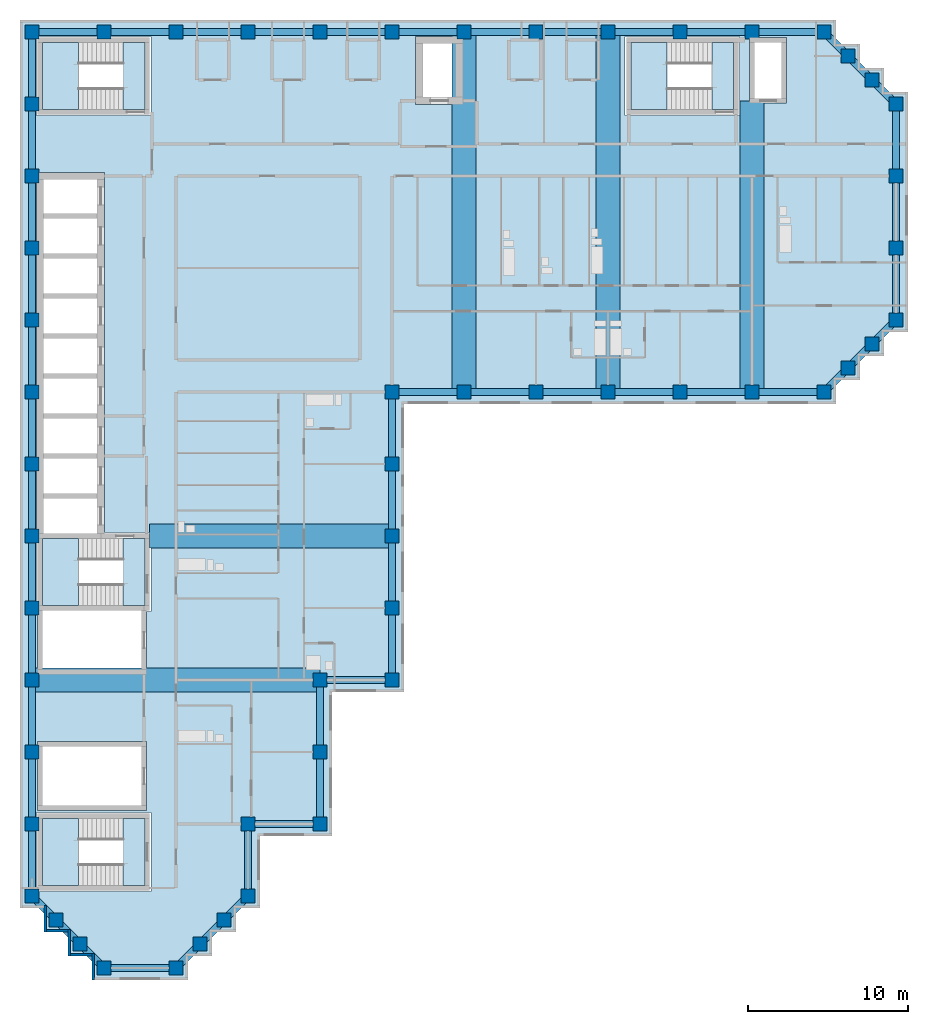
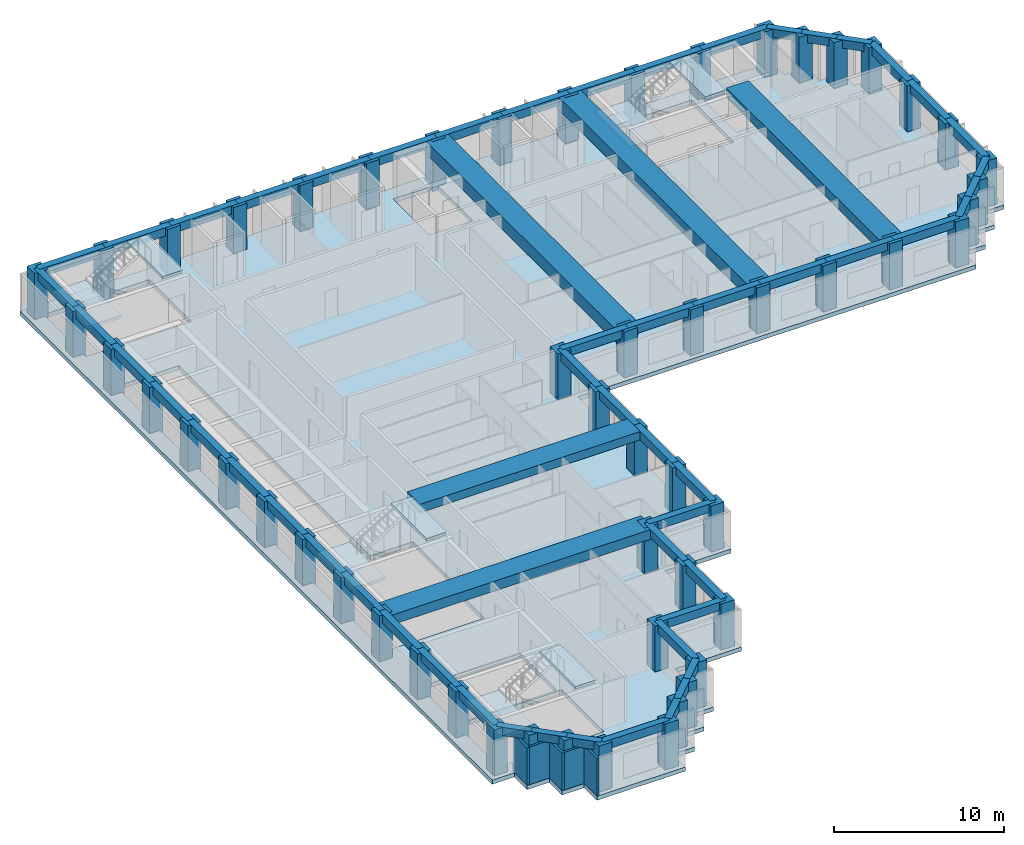
# One storey, part 1 of 10: 59 beams, 54 columns, 9 slabs, 5 walls, 4 elements without a shape of their own.
"""IFC4 building model written with IfcOpenShell, lengths in metres."""

from ifc_helpers import new_model, si_unit, direction, frame, frame_2d, origin, origin_2d, place, context, subcontext, project, spatial, polyline, rectangle, outline, extrude, material, layer, layer_set, material_profile, profile_set, type_object, element, aggregate, save


model = new_model("IFC4")

# Units and contexts
model_context = context("Model", 3, precision=1e-05, world=origin(), true_north=direction((0.0, 1.0)))
body_context = subcontext(model_context, "Body", "Model", "MODEL_VIEW")
ifc_project = project(units=[si_unit("LENGTHUNIT", "METRE"), si_unit("AREAUNIT", "SQUARE_METRE"), si_unit("VOLUMEUNIT", "CUBIC_METRE"), si_unit("PLANEANGLEUNIT", "RADIAN"), si_unit("MASSUNIT", "GRAM", prefix="KILO")], contexts=[model_context])

# Site, building, storey
site_placement = place(None, origin())
site = spatial("IfcSite", under=ifc_project, at=site_placement, CompositionType="ELEMENT")
building_placement = place(site_placement, origin())
building = spatial("IfcBuilding", under=site, at=building_placement, Name="Firuza Court", CompositionType="ELEMENT")
storey_placement = place(building_placement, frame((0.0, 0.0, 200.60009765625)))
storey = spatial("IfcBuildingStorey", under=building, at=storey_placement, Name="L51", CompositionType="ELEMENT", Elevation=200.60009765625)

# Columns
ifc_material_1 = material(Name="Concrete C50/60", Category="concrete")
ifc_material_profile_1 = material_profile(ifc_material_1, rectangle(XDim=0.89990234375, YDim=0.89990234375, at=origin_2d()), Name="RC 900x900")
ifc_profile_set_1 = profile_set([ifc_material_profile_1], Name="Concrete C50/60")
column_type = type_object("IfcColumnType", Name="Tube column RC 900x900 C50/60", PredefinedType="COLUMN", material=ifc_profile_set_1)
for number, where, z_axis, x_axis, name in (
    (1, (4.5, 0.0, -0.300048828125), (0.0, 0.0, 1.0), (1.0, 0.0, 0.0), "Column C-2D L51"),
    (2, (9.0, 0.0, -0.300048828125), (0.0, 0.0, 1.0), (1.0, 0.0, 0.0), "Column C-3D L51"),
    (3, (3.0, 1.5, -0.300048828125), (0.0, 0.0, 1.0), (1.0, 0.0, 0.0), "Column C-SA1 L51"),
    (4, (10.5, 1.5, -0.300048828125), (0.0, 0.0, 1.0), (1.0, 0.0, 0.0), "Column C-SA2 L51"),
    (5, (1.5, 3.0, -0.300048828125), (0.0, 0.0, 1.0), (1.0, 0.0, 0.0), "Column C-SA3 L51"),
    (6, (12.0, 3.0, -0.300048828125), (0.0, 0.0, 1.0), (1.0, 0.0, 0.0), "Column C-SA4 L51"),
    (7, (0.0, 4.5, -0.300048828125), (0.0, 0.0, 1.0), (1.0, 0.0, 0.0), "Column C-1E L51"),
    (8, (13.5, 4.5, -0.300048828125), (0.0, 0.0, 1.0), (1.0, 0.0, 0.0), "Column C-4E L51"),
    (9, (0.0, 9.0, -0.300048828125), (0.0, 0.0, 1.0), (1.0, 0.0, 0.0), "Column C-1F L51"),
    (10, (13.5, 9.0, -0.300048828125), (0.0, 0.0, 1.0), (1.0, 0.0, 0.0), "Column C-4F L51"),
    (11, (18.0, 9.0, -0.300048828125), (0.0, 0.0, 1.0), (1.0, 0.0, 0.0), "Column C-5F L51"),
    (12, (0.0, 13.5, -0.300048828125), (0.0, 0.0, 1.0), (1.0, 0.0, 0.0), "Column C-1G L51"),
    (13, (18.0, 13.5, -0.300048828125), (0.0, 0.0, 1.0), (1.0, 0.0, 0.0), "Column C-5G L51"),
    (14, (0.0, 18.0, -0.300048828125), (0.0, 0.0, 1.0), (1.0, 0.0, 0.0), "Column C-1H L51"),
    (15, (18.0, 18.0, -0.300048828125), (0.0, 0.0, 1.0), (1.0, 0.0, 0.0), "Column C-5H L51"),
    (16, (22.5, 18.0, -0.300048828125), (0.0, 0.0, 1.0), (1.0, 0.0, 0.0), "Column C-6H L51"),
    (17, (0.0, 22.5, -0.300048828125), (0.0, 0.0, 1.0), (1.0, 0.0, 0.0), "Column C-1J L51"),
    (18, (22.5, 22.5, -0.300048828125), (0.0, 0.0, 1.0), (1.0, 0.0, 0.0), "Column C-6J L51"),
    (19, (0.0, 27.0, -0.300048828125), (0.0, 0.0, 1.0), (1.0, 0.0, 0.0), "Column C-1K L51"),
    (20, (22.5, 27.0, -0.300048828125), (0.0, 0.0, 1.0), (1.0, 0.0, 0.0), "Column C-6K L51"),
    (21, (0.0, 31.5, -0.300048828125), (0.0, 0.0, 1.0), (1.0, 0.0, 0.0), "Column C-1L L51"),
    (22, (22.5, 31.5, -0.300048828125), (0.0, 0.0, 1.0), (1.0, 0.0, 0.0), "Column C-6L L51"),
    (23, (0.0, 36.0, -0.300048828125), (0.0, 0.0, 1.0), (1.0, 0.0, 0.0), "Column C-1M L51"),
    (24, (22.5, 36.0, -0.300048828125), (0.0, 0.0, 1.0), (1.0, 0.0, 0.0), "Column C-6M L51"),
    (25, (27.0, 36.0, -0.300048828125), (0.0, 0.0, 1.0), (1.0, 0.0, 0.0), "Column C-7M L51"),
    (26, (31.5, 36.0, -0.300048828125), (0.0, 0.0, 1.0), (1.0, 0.0, 0.0), "Column C-8M L51"),
    (27, (36.0, 36.0, -0.300048828125), (0.0, 0.0, 1.0), (1.0, 0.0, 0.0), "Column C-9M L51"),
    (28, (40.5, 36.0, -0.300048828125), (0.0, 0.0, 1.0), (1.0, 0.0, 0.0), "Column C-10M L51"),
    (29, (45.0, 36.0, -0.300048828125), (0.0, 0.0, 1.0), (1.0, 0.0, 0.0), "Column C-11M L51"),
    (30, (49.5, 36.0, -0.300048828125), (0.0, 0.0, 1.0), (1.0, 0.0, 0.0), "Column C-12M L51"),
    (31, (51.0, 37.5, -0.300048828125), (0.0, 0.0, 1.0), (1.0, 0.0, 0.0), "Column C-SA5 L51"),
    (32, (52.5, 39.0, -0.300048828125), (0.0, 0.0, 1.0), (1.0, 0.0, 0.0), "Column C-SA6 L51"),
    (33, (0.0, 40.5, -0.300048828125), (0.0, 0.0, 1.0), (1.0, 0.0, 0.0), "Column C-1N L51"),
    (34, (54.0, 40.5, -0.300048828125), (0.0, 0.0, 1.0), (1.0, 0.0, 0.0), "Column C-13N L51"),
    (35, (0.0, 45.0, -0.300048828125), (0.0, 0.0, 1.0), (1.0, 0.0, 0.0), "Column C-1P L51"),
    (36, (54.0, 45.0, -0.300048828125), (0.0, 0.0, 1.0), (1.0, 0.0, 0.0), "Column C-13P L51"),
    (37, (0.0, 49.5, -0.300048828125), (0.0, 0.0, 1.0), (1.0, 0.0, 0.0), "Column C-1Q L51"),
    (38, (54.0, 49.5, -0.300048828125), (0.0, 0.0, 1.0), (1.0, 0.0, 0.0), "Column C-13Q L51"),
    (39, (0.0, 54.0, -0.300048828125), (0.0, 0.0, 1.0), (1.0, 0.0, 0.0), "Column C-1R L51"),
    (40, (54.0, 54.0, -0.300048828125), (0.0, 0.0, 1.0), (1.0, 0.0, 0.0), "Column C-13R L51"),
    (41, (52.5, 55.5, -0.300048828125), (0.0, 0.0, 1.0), (1.0, 0.0, 0.0), "Column C-SA7 L51"),
    (42, (51.0, 57.0, -0.300048828125), (0.0, 0.0, 1.0), (1.0, 0.0, 0.0), "Column C-SA8 L51"),
    (43, (0.0, 58.5, -0.300048828125), (0.0, 0.0, 1.0), (1.0, 0.0, 0.0), "Column C-1S L51"),
    (44, (4.5, 58.5, -0.300048828125), (0.0, 0.0, 1.0), (1.0, 0.0, 0.0), "Column C-2S L51"),
    (45, (9.0, 58.5, -0.300048828125), (0.0, 0.0, 1.0), (1.0, 0.0, 0.0), "Column C-3S L51"),
    (46, (13.5, 58.5, -0.300048828125), (0.0, 0.0, 1.0), (1.0, 0.0, 0.0), "Column C-4S L51"),
    (47, (18.0, 58.5, -0.300048828125), (0.0, 0.0, 1.0), (1.0, 0.0, 0.0), "Column C-5S L51"),
    (48, (22.5, 58.5, -0.300048828125), (0.0, 0.0, 1.0), (1.0, 0.0, 0.0), "Column C-6S L51"),
    (49, (27.0, 58.5, -0.300048828125), (0.0, 0.0, 1.0), (1.0, 0.0, 0.0), "Column C-7S L51"),
    (50, (31.5, 58.5, -0.300048828125), (0.0, 0.0, 1.0), (1.0, 0.0, 0.0), "Column C-8S L51"),
    (51, (36.0, 58.5, -0.300048828125), (0.0, 0.0, 1.0), (1.0, 0.0, 0.0), "Column C-9S L51"),
    (52, (40.5, 58.5, -0.300048828125), (0.0, 0.0, 1.0), (1.0, 0.0, 0.0), "Column C-10S L51"),
    (53, (45.0, 58.5, -0.300048828125), (0.0, 0.0, 1.0), (1.0, 0.0, 0.0), "Column C-11S L51"),
    (54, (49.5, 58.5, -0.300048828125), (0.0, 0.0, 1.0), (1.0, 0.0, 0.0), "Column C-12S L51"),
):
    element("IfcColumn", number, at=place(storey_placement, frame(where, z_axis=z_axis, x_axis=x_axis)), inside=storey, type_object=column_type, Name=name, PredefinedType="COLUMN", context=body_context, shape_type="SweptSolid", body=[
        extrude(rectangle(XDim=0.89990234375, YDim=0.89990234375, at=origin_2d()), origin(), (0.0, 0.0, 1.0), 3.599853515625),
    ])

# Beams
ifc_material_2 = material(Name="Concrete C40/50", Category="concrete")
ifc_material_profile_2 = material_profile(ifc_material_2, rectangle(XDim=1.5, YDim=0.60009765625, at=origin_2d()), Name="RC 1500x600")
ifc_profile_set_2 = profile_set([ifc_material_profile_2], Name="Concrete C40/50")
beam_type_1 = type_object("IfcBeamType", Name="Band beam RC 1500x600 C40/50", PredefinedType="BEAM", material=ifc_profile_set_2)
beam_1_placement = place(storey_placement, frame((22.5, 27.0, 3.0), z_axis=(-1.0, 0.0, 0.0), x_axis=(0.0, -1.0, 0.0)))
element("IfcBeam", 55, at=beam_1_placement, inside=storey, type_object=beam_type_1, Name="Band beam FB3 level L52", PredefinedType="BEAM", context=body_context, shape_type="SweptSolid", body=[
    extrude(rectangle(XDim=1.5, YDim=0.60009765625, at=origin_2d()), origin(), (0.0, 0.0, 1.0), 15.14990234375),
])
ifc_material_3 = material(Name="Concrete C40/50", Category="concrete")
ifc_material_profile_3 = material_profile(ifc_material_3, rectangle(XDim=1.5, YDim=0.699951171875, at=origin_2d()), Name="RC 1500x700")
ifc_profile_set_3 = profile_set([ifc_material_profile_3], Name="Concrete C40/50")
beam_type_2 = type_object("IfcBeamType", Name="Band beam RC 1500x700 C40/50", PredefinedType="BEAM", material=ifc_profile_set_3)
beam_2_placement = place(storey_placement, frame((0.0, 18.0, 2.949951171875), z_axis=(1.0, 0.0, 0.0), x_axis=(0.0, 1.0, 0.0)))
element("IfcBeam", 56, at=beam_2_placement, inside=storey, type_object=beam_type_2, Name="Band beam FB1 level L52", PredefinedType="BEAM", context=body_context, shape_type="SweptSolid", body=[
    extrude(rectangle(XDim=1.5, YDim=0.699951171875, at=origin_2d()), origin(), (0.0, 0.0, 1.0), 18.0),
])
beam_3_placement = place(storey_placement, frame((45.0, 36.0, 2.949951171875), z_axis=(0.0, 1.0, 0.0), x_axis=(-1.0, 0.0, 0.0)))
element("IfcBeam", 57, at=beam_3_placement, inside=storey, type_object=beam_type_2, Name="Band beam FB1 level L52", PredefinedType="BEAM", context=body_context, shape_type="SweptSolid", body=[
    extrude(rectangle(XDim=1.5, YDim=0.699951171875, at=origin_2d()), origin(), (0.0, 0.0, 1.0), 18.199951171875),
])
ifc_material_4 = material(Name="Concrete C40/50", Category="concrete")
ifc_material_profile_4 = material_profile(ifc_material_4, rectangle(XDim=1.5, YDim=0.89990234375, at=origin_2d()), Name="RC 1500x900")
ifc_profile_set_4 = profile_set([ifc_material_profile_4], Name="Concrete C40/50")
beam_type_3 = type_object("IfcBeamType", Name="Band beam RC 1500x900 C40/50", PredefinedType="BEAM", material=ifc_profile_set_4)
for number, where, z_axis, x_axis, name in (
    (58, (27.0, 36.0, 2.849853515625), (0.0, 1.0, 0.0), (-1.0, 0.0, 0.0), "Band beam FB2 level L52"),
    (59, (36.0, 36.0, 2.849853515625), (0.0, 1.0, 0.0), (-1.0, 0.0, 0.0), "Band beam FB2 level L52"),
):
    element("IfcBeam", number, at=place(storey_placement, frame(where, z_axis=z_axis, x_axis=x_axis)), inside=storey, type_object=beam_type_3, Name=name, PredefinedType="BEAM", context=body_context, shape_type="SweptSolid", body=[
        extrude(rectangle(XDim=1.5, YDim=0.89990234375, at=origin_2d()), origin(), (0.0, 0.0, 1.0), 22.5),
    ])
ifc_material_5 = material(Name="Concrete C40/50", Category="concrete")
ifc_material_profile_5 = material_profile(ifc_material_5, rectangle(XDim=0.449951171875, YDim=0.60009765625, at=origin_2d()), Name="RC 450x600")
ifc_profile_set_5 = profile_set([ifc_material_profile_5], Name="Concrete C40/50")
beam_type_4 = type_object("IfcBeamType", Name="Spandrel beam RC 450x600 C40/50", PredefinedType="BEAM", material=ifc_profile_set_5)
beam_4_placement = place(storey_placement, frame((0.0, 4.5, 3.0), z_axis=(0.707106781187, -0.707106781187, 0.0), x_axis=(0.707106781187, 0.707106781187, 0.0)))
element("IfcBeam", 60, at=beam_4_placement, inside=storey, type_object=beam_type_4, Name="Spandrel beam SP15 level L52", PredefinedType="BEAM", context=body_context, shape_type="SweptSolid", body=[
    extrude(rectangle(XDim=0.449951171875, YDim=0.60009765625, at=origin_2d()), origin(), (0.0, 0.0, 1.0), 2.121337890625),
])
for number, where, z_axis, x_axis, name in (
    (61, (0.0, 9.0, 3.0), (0.0, -1.0, 0.0), (1.0, 0.0, 0.0), "Spandrel beam SP15 level L52"),
    (62, (0.0, 13.5, 3.0), (0.0, -1.0, 0.0), (1.0, 0.0, 0.0), "Spandrel beam SP15 level L52"),
    (63, (0.0, 18.0, 3.0), (0.0, -1.0, 0.0), (1.0, 0.0, 0.0), "Spandrel beam SP15 level L52"),
    (64, (0.0, 22.5, 3.0), (0.0, -1.0, 0.0), (1.0, 0.0, 0.0), "Spandrel beam SP15 level L52"),
    (65, (0.0, 27.0, 3.0), (0.0, -1.0, 0.0), (1.0, 0.0, 0.0), "Spandrel beam SP15 level L52"),
    (66, (0.0, 31.5, 3.0), (0.0, -1.0, 0.0), (1.0, 0.0, 0.0), "Spandrel beam SP15 level L52"),
    (67, (0.0, 36.0, 3.0), (0.0, -1.0, 0.0), (1.0, 0.0, 0.0), "Spandrel beam SP15 level L52"),
    (68, (0.0, 40.5, 3.0), (0.0, -1.0, 0.0), (1.0, 0.0, 0.0), "Spandrel beam SP15 level L52"),
    (69, (0.0, 45.0, 3.0), (0.0, -1.0, 0.0), (1.0, 0.0, 0.0), "Spandrel beam SP15 level L52"),
    (70, (0.0, 49.5, 3.0), (0.0, -1.0, 0.0), (1.0, 0.0, 0.0), "Spandrel beam SP15 level L52"),
    (71, (0.0, 54.0, 3.0), (0.0, -1.0, 0.0), (1.0, 0.0, 0.0), "Spandrel beam SP15 level L52"),
    (72, (0.0, 58.5, 3.0), (0.0, -1.0, 0.0), (1.0, 0.0, 0.0), "Spandrel beam SP15 level L52"),
):
    element("IfcBeam", number, at=place(storey_placement, frame(where, z_axis=z_axis, x_axis=x_axis)), inside=storey, type_object=beam_type_4, Name=name, PredefinedType="BEAM", context=body_context, shape_type="SweptSolid", body=[
        extrude(rectangle(XDim=0.449951171875, YDim=0.60009765625, at=origin_2d()), origin(), (0.0, 0.0, 1.0), 4.5),
    ])
for number, where, z_axis, x_axis, name in (
    (73, (1.5, 3.0, 3.0), (0.707106781187, -0.707106781187, 0.0), (0.707106781187, 0.707106781187, 0.0), "Spandrel beam SP15 level L52"),
    (74, (3.0, 1.5, 3.0), (0.707106781187, -0.707106781187, 0.0), (0.707106781187, 0.707106781187, 0.0), "Spandrel beam SP15 level L52"),
):
    element("IfcBeam", number, at=place(storey_placement, frame(where, z_axis=z_axis, x_axis=x_axis)), inside=storey, type_object=beam_type_4, Name=name, PredefinedType="BEAM", context=body_context, shape_type="SweptSolid", body=[
        extrude(rectangle(XDim=0.449951171875, YDim=0.60009765625, at=origin_2d()), origin(), (0.0, 0.0, 1.0), 2.121337890625),
    ])
for number, where, z_axis, x_axis, name in (
    (75, (4.5, 0.0, 3.0), (1.0, 0.0, 0.0), (0.0, 1.0, 0.0), "Spandrel beam SP15 level L52"),
    (76, (4.5, 58.5, 3.0), (-1.0, 0.0, 0.0), (0.0, -1.0, 0.0), "Spandrel beam SP15 level L52"),
):
    element("IfcBeam", number, at=place(storey_placement, frame(where, z_axis=z_axis, x_axis=x_axis)), inside=storey, type_object=beam_type_4, Name=name, PredefinedType="BEAM", context=body_context, shape_type="SweptSolid", body=[
        extrude(rectangle(XDim=0.449951171875, YDim=0.60009765625, at=origin_2d()), origin(), (0.0, 0.0, 1.0), 4.5),
    ])
beam_5_placement = place(storey_placement, frame((9.0, 0.0, 3.0), z_axis=(0.707106781187, 0.707106781187, 0.0), x_axis=(-0.707106781187, 0.707106781187, 0.0)))
element("IfcBeam", 77, at=beam_5_placement, inside=storey, type_object=beam_type_4, Name="Spandrel beam SP15 level L52", PredefinedType="BEAM", context=body_context, shape_type="SweptSolid", body=[
    extrude(rectangle(XDim=0.449951171875, YDim=0.60009765625, at=origin_2d()), origin(), (0.0, 0.0, 1.0), 2.121337890625),
])
beam_6_placement = place(storey_placement, frame((9.0, 58.5, 3.0), z_axis=(-1.0, 0.0, 0.0), x_axis=(0.0, -1.0, 0.0)))
element("IfcBeam", 78, at=beam_6_placement, inside=storey, type_object=beam_type_4, Name="Spandrel beam SP15 level L52", PredefinedType="BEAM", context=body_context, shape_type="SweptSolid", body=[
    extrude(rectangle(XDim=0.449951171875, YDim=0.60009765625, at=origin_2d()), origin(), (0.0, 0.0, 1.0), 4.5),
])
for number, where, z_axis, x_axis, name in (
    (79, (10.5, 1.5, 3.0), (0.707106781187, 0.707106781187, 0.0), (-0.707106781187, 0.707106781187, 0.0), "Spandrel beam SP15 level L52"),
    (80, (12.0, 3.0, 3.0), (0.707106781187, 0.707106781187, 0.0), (-0.707106781187, 0.707106781187, 0.0), "Spandrel beam SP15 level L52"),
):
    element("IfcBeam", number, at=place(storey_placement, frame(where, z_axis=z_axis, x_axis=x_axis)), inside=storey, type_object=beam_type_4, Name=name, PredefinedType="BEAM", context=body_context, shape_type="SweptSolid", body=[
        extrude(rectangle(XDim=0.449951171875, YDim=0.60009765625, at=origin_2d()), origin(), (0.0, 0.0, 1.0), 2.121337890625),
    ])
for number, where, z_axis, x_axis, name in (
    (81, (13.5, 4.5, 3.0), (0.0, 1.0, 0.0), (-1.0, 0.0, 0.0), "Spandrel beam SP15 level L52"),
    (82, (13.5, 9.0, 3.0), (1.0, 0.0, 0.0), (0.0, 1.0, 0.0), "Spandrel beam SP15 level L52"),
    (83, (13.5, 58.5, 3.0), (-1.0, 0.0, 0.0), (0.0, -1.0, 0.0), "Spandrel beam SP15 level L52"),
    (84, (18.0, 9.0, 3.0), (0.0, 1.0, 0.0), (-1.0, 0.0, 0.0), "Spandrel beam SP15 level L52"),
    (85, (18.0, 13.5, 3.0), (0.0, 1.0, 0.0), (-1.0, 0.0, 0.0), "Spandrel beam SP15 level L52"),
    (86, (18.0, 18.0, 3.0), (1.0, 0.0, 0.0), (0.0, 1.0, 0.0), "Spandrel beam SP15 level L52"),
    (87, (18.0, 58.5, 3.0), (-1.0, 0.0, 0.0), (0.0, -1.0, 0.0), "Spandrel beam SP15 level L52"),
    (88, (22.5, 18.0, 3.0), (0.0, 1.0, 0.0), (-1.0, 0.0, 0.0), "Spandrel beam SP15 level L52"),
    (89, (22.5, 22.5, 3.0), (0.0, 1.0, 0.0), (-1.0, 0.0, 0.0), "Spandrel beam SP15 level L52"),
    (90, (22.5, 27.0, 3.0), (0.0, 1.0, 0.0), (-1.0, 0.0, 0.0), "Spandrel beam SP15 level L52"),
    (91, (22.5, 31.5, 3.0), (0.0, 1.0, 0.0), (-1.0, 0.0, 0.0), "Spandrel beam SP15 level L52"),
    (92, (22.5, 36.0, 3.0), (1.0, 0.0, 0.0), (0.0, 1.0, 0.0), "Spandrel beam SP15 level L52"),
    (93, (22.5, 58.5, 3.0), (-1.0, 0.0, 0.0), (0.0, -1.0, 0.0), "Spandrel beam SP15 level L52"),
    (94, (27.0, 36.0, 3.0), (1.0, 0.0, 0.0), (0.0, 1.0, 0.0), "Spandrel beam SP15 level L52"),
    (95, (27.0, 58.5, 3.0), (-1.0, 0.0, 0.0), (0.0, -1.0, 0.0), "Spandrel beam SP15 level L52"),
    (96, (31.5, 36.0, 3.0), (1.0, 0.0, 0.0), (0.0, 1.0, 0.0), "Spandrel beam SP15 level L52"),
    (97, (31.5, 58.5, 3.0), (-1.0, 0.0, 0.0), (0.0, -1.0, 0.0), "Spandrel beam SP15 level L52"),
    (98, (36.0, 36.0, 3.0), (1.0, 0.0, 0.0), (0.0, 1.0, 0.0), "Spandrel beam SP15 level L52"),
    (99, (36.0, 58.5, 3.0), (-1.0, 0.0, 0.0), (0.0, -1.0, 0.0), "Spandrel beam SP15 level L52"),
    (100, (40.5, 36.0, 3.0), (1.0, 0.0, 0.0), (0.0, 1.0, 0.0), "Spandrel beam SP15 level L52"),
    (101, (40.5, 58.5, 3.0), (-1.0, 0.0, 0.0), (0.0, -1.0, 0.0), "Spandrel beam SP15 level L52"),
    (102, (45.0, 36.0, 3.0), (1.0, 0.0, 0.0), (0.0, 1.0, 0.0), "Spandrel beam SP15 level L52"),
    (103, (45.0, 58.5, 3.0), (-1.0, 0.0, 0.0), (0.0, -1.0, 0.0), "Spandrel beam SP15 level L52"),
):
    element("IfcBeam", number, at=place(storey_placement, frame(where, z_axis=z_axis, x_axis=x_axis)), inside=storey, type_object=beam_type_4, Name=name, PredefinedType="BEAM", context=body_context, shape_type="SweptSolid", body=[
        extrude(rectangle(XDim=0.449951171875, YDim=0.60009765625, at=origin_2d()), origin(), (0.0, 0.0, 1.0), 4.5),
    ])
beam_7_placement = place(storey_placement, frame((49.5, 36.0, 3.0), z_axis=(0.707106781187, 0.707106781187, 0.0), x_axis=(-0.707106781187, 0.707106781187, 0.0)))
element("IfcBeam", 104, at=beam_7_placement, inside=storey, type_object=beam_type_4, Name="Spandrel beam SP15 level L52", PredefinedType="BEAM", context=body_context, shape_type="SweptSolid", body=[
    extrude(rectangle(XDim=0.449951171875, YDim=0.60009765625, at=origin_2d()), origin(), (0.0, 0.0, 1.0), 2.121337890625),
])
beam_8_placement = place(storey_placement, frame((49.5, 58.5, 3.0), z_axis=(-1.0, 0.0, 0.0), x_axis=(0.0, -1.0, 0.0)))
element("IfcBeam", 105, at=beam_8_placement, inside=storey, type_object=beam_type_4, Name="Spandrel beam SP15 level L52", PredefinedType="BEAM", context=body_context, shape_type="SweptSolid", body=[
    extrude(rectangle(XDim=0.449951171875, YDim=0.60009765625, at=origin_2d()), origin(), (0.0, 0.0, 1.0), 4.5),
])
for number, where, z_axis, x_axis, name in (
    (106, (51.0, 37.5, 3.0), (0.707106781187, 0.707106781187, 0.0), (-0.707106781187, 0.707106781187, 0.0), "Spandrel beam SP15 level L52"),
    (107, (51.0, 57.0, 3.0), (-0.707106781187, 0.707106781187, 0.0), (-0.707106781187, -0.707106781187, 0.0), "Spandrel beam SP15 level L52"),
    (108, (52.5, 39.0, 3.0), (0.707106781187, 0.707106781187, 0.0), (-0.707106781187, 0.707106781187, 0.0), "Spandrel beam SP15 level L52"),
    (109, (52.5, 55.5, 3.0), (-0.707106781187, 0.707106781187, 0.0), (-0.707106781187, -0.707106781187, 0.0), "Spandrel beam SP15 level L52"),
):
    element("IfcBeam", number, at=place(storey_placement, frame(where, z_axis=z_axis, x_axis=x_axis)), inside=storey, type_object=beam_type_4, Name=name, PredefinedType="BEAM", context=body_context, shape_type="SweptSolid", body=[
        extrude(rectangle(XDim=0.449951171875, YDim=0.60009765625, at=origin_2d()), origin(), (0.0, 0.0, 1.0), 2.121337890625),
    ])
for number, where, z_axis, x_axis, name in (
    (110, (54.0, 40.5, 3.0), (0.0, 1.0, 0.0), (-1.0, 0.0, 0.0), "Spandrel beam SP15 level L52"),
    (111, (54.0, 45.0, 3.0), (0.0, 1.0, 0.0), (-1.0, 0.0, 0.0), "Spandrel beam SP15 level L52"),
    (112, (54.0, 49.5, 3.0), (0.0, 1.0, 0.0), (-1.0, 0.0, 0.0), "Spandrel beam SP15 level L52"),
):
    element("IfcBeam", number, at=place(storey_placement, frame(where, z_axis=z_axis, x_axis=x_axis)), inside=storey, type_object=beam_type_4, Name=name, PredefinedType="BEAM", context=body_context, shape_type="SweptSolid", body=[
        extrude(rectangle(XDim=0.449951171875, YDim=0.60009765625, at=origin_2d()), origin(), (0.0, 0.0, 1.0), 4.5),
    ])
beam_9_placement = place(storey_placement, frame((54.0, 54.0, 3.0), z_axis=(-0.707106781187, 0.707106781187, 0.0), x_axis=(-0.707106781187, -0.707106781187, 0.0)))
element("IfcBeam", 113, at=beam_9_placement, inside=storey, type_object=beam_type_4, Name="Spandrel beam SP15 level L52", PredefinedType="BEAM", context=body_context, shape_type="SweptSolid", body=[
    extrude(rectangle(XDim=0.449951171875, YDim=0.60009765625, at=origin_2d()), origin(), (0.0, 0.0, 1.0), 2.121337890625),
])

# Slab
ifc_material_6 = material(Name="Concrete C40/50", Category="concrete")
ifc_layer_1 = layer(ifc_material_6, 0.300048828125)
ifc_layer_set_1 = layer_set([ifc_layer_1], Name="Concrete C40/50")
slab_type_1 = type_object("IfcSlabType", Name="Floor slab 300 C40/50", PredefinedType="FLOOR", material=ifc_layer_set_1)
slab_1_placement = place(storey_placement, frame((0.0, 0.0, -0.300048828125)))
element("IfcSlab", 114, at=slab_1_placement, inside=storey, type_object=slab_type_1, Name="Floor slab L51", PredefinedType="FLOOR", context=body_context, shape_type="SweptSolid", body=[
    extrude(outline(polyline([(-0.75, 59.25), (50.25, 59.25), (50.25, 57.75), (51.75, 57.75), (51.75, 56.25), (53.25, 56.25), (53.25, 54.75), (54.75, 54.75), (54.75, 39.75), (53.25, 39.75), (53.25, 38.25), (51.75, 38.25), (51.75, 36.75), (50.25, 36.75), (50.25, 35.25), (23.25, 35.25), (23.25, 17.25), (18.75, 17.25), (18.75, 8.25), (14.25, 8.25), (14.25, 3.75), (12.75, 3.75), (12.75, 2.25), (11.25, 2.25), (11.25, 0.75), (9.75, 0.75), (9.75, -0.75), (3.75, -0.75), (3.75, 0.75), (2.25, 0.75), (2.25, 2.25), (0.75, 2.25), (0.75, 3.75), (-0.75, 3.75), (-0.75, 59.25)]), holes=[polyline([(0.27490234375, 29.72509765625), (0.27490234375, 29.27490234375), (0.27490234375, 27.22509765625), (0.27490234375, 26.77490234375), (0.27490234375, 22.27490234375), (0.35009765625, 22.27490234375), (0.35009765625, 18.35009765625), (7.14990234375, 18.35009765625), (7.14990234375, 22.27490234375), (7.425048828125, 22.27490234375), (7.425048828125, 27.22509765625), (4.52490234375, 27.22509765625), (4.52490234375, 29.27490234375), (4.52490234375, 29.72509765625), (4.52490234375, 31.77490234375), (4.52490234375, 32.22509765625), (4.52490234375, 34.27490234375), (4.52490234375, 34.72509765625), (4.52490234375, 36.77490234375), (4.52490234375, 37.22509765625), (4.52490234375, 39.27490234375), (4.52490234375, 39.72509765625), (4.52490234375, 41.77490234375), (4.52490234375, 42.22509765625), (4.52490234375, 44.27490234375), (4.52490234375, 44.72509765625), (4.52490234375, 46.77490234375), (4.52490234375, 47.22509765625), (4.52490234375, 49.72509765625), (0.27490234375, 49.72509765625), (0.27490234375, 47.22509765625), (0.27490234375, 46.77490234375), (0.27490234375, 44.72509765625), (0.27490234375, 44.27490234375), (0.27490234375, 42.22509765625), (0.27490234375, 41.77490234375), (0.27490234375, 39.72509765625), (0.27490234375, 39.27490234375), (0.27490234375, 37.22509765625), (0.27490234375, 36.77490234375), (0.27490234375, 34.72509765625), (0.27490234375, 34.27490234375), (0.27490234375, 32.22509765625), (0.27490234375, 31.77490234375), (0.27490234375, 29.72509765625)]), polyline([(7.425048828125, 9.72509765625), (0.27490234375, 9.72509765625), (0.27490234375, 4.77490234375), (7.425048828125, 4.77490234375), (7.425048828125, 9.72509765625)]), polyline([(7.14990234375, 14.14990234375), (0.35009765625, 14.14990234375), (0.35009765625, 9.85009765625), (7.14990234375, 9.85009765625), (7.14990234375, 14.14990234375)]), polyline([(7.425048828125, 58.22509765625), (0.27490234375, 58.22509765625), (0.27490234375, 53.27490234375), (7.425048828125, 53.27490234375), (7.425048828125, 58.22509765625)]), polyline([(44.22509765625, 58.22509765625), (37.074951171875, 58.22509765625), (37.074951171875, 53.27490234375), (44.22509765625, 53.27490234375), (44.22509765625, 58.22509765625)]), polyline([(26.925048828125, 53.97509765625), (26.925048828125, 58.22509765625), (23.97509765625, 58.22509765625), (23.97509765625, 53.97509765625), (26.925048828125, 53.97509765625)]), polyline([(47.14990234375, 54.050048828125), (47.14990234375, 58.14990234375), (44.85009765625, 58.14990234375), (44.85009765625, 54.050048828125), (47.14990234375, 54.050048828125)])]), origin(), (0.0, 0.0, 1.0), 0.300048828125),
])

# Stair, slabs
ifc_material_7 = material(Name="Concrete C40/50 precast", Category="concrete")
stair_type = type_object("IfcStairType", Name="Stair 1350 x 3600 2 flights", PredefinedType="HALF_TURN_STAIR", material=ifc_material_7)
stair_1_placement = place(storey_placement, origin())
stair_1 = element("IfcStair", 115, at=stair_1_placement, inside=storey, type_object=stair_type, Name="Stair 1 L51", PredefinedType="HALF_TURN_STAIR")
ifc_material_8 = material(Name="Concrete C40/50 precast", Category="concrete")
ifc_layer_2 = layer(ifc_material_8, 0.199951171875)
ifc_layer_set_2 = layer_set([ifc_layer_2], Name="Concrete C40/50 precast")
slab_type_2 = type_object("IfcSlabType", Name="Stair landing 200", PredefinedType="LANDING", material=ifc_layer_set_2)
slab_2_placement = place(storey_placement, frame((0.0, 0.0, 1.599853515625)))
slab_2 = element("IfcSlab", 116, at=slab_2_placement, type_object=slab_type_2, Name="S1 landing 1", PredefinedType="LANDING", context=body_context, shape_type="SweptSolid", body=[
    extrude(outline(polyline([(39.699951171875, 53.64990234375), (39.699951171875, 57.85009765625), (37.449951171875, 57.85009765625), (37.449951171875, 53.64990234375), (39.699951171875, 53.64990234375)])), origin(), (0.0, 0.0, 1.0), 0.199951171875),
])
slab_3_placement = place(storey_placement, frame((0.0, 0.0, 3.39990234375)))
slab_3 = element("IfcSlab", 117, at=slab_3_placement, type_object=slab_type_2, Name="S1 landing 2", PredefinedType="LANDING", context=body_context, shape_type="SweptSolid", body=[
    extrude(outline(polyline([(43.85009765625, 53.64990234375), (43.85009765625, 57.85009765625), (42.5, 57.85009765625), (42.5, 53.64990234375), (43.85009765625, 53.64990234375)])), origin(), (0.0, 0.0, 1.0), 0.199951171875),
])
aggregate(stair_1, [slab_2, slab_3])

stair_2_placement = place(storey_placement, origin())
stair_2 = element("IfcStair", 118, at=stair_2_placement, inside=storey, type_object=stair_type, Name="Stair 2 L51", PredefinedType="HALF_TURN_STAIR")
slab_4_placement = place(storey_placement, frame((0.0, 0.0, 1.599853515625)))
slab_4 = element("IfcSlab", 119, at=slab_4_placement, type_object=slab_type_2, Name="S2 landing 1", PredefinedType="LANDING", context=body_context, shape_type="SweptSolid", body=[
    extrude(outline(polyline([(2.89990234375, 22.64990234375), (2.89990234375, 26.85009765625), (0.64990234375, 26.85009765625), (0.64990234375, 22.64990234375), (2.89990234375, 22.64990234375)])), origin(), (0.0, 0.0, 1.0), 0.199951171875),
])
slab_5_placement = place(storey_placement, frame((0.0, 0.0, 3.39990234375)))
slab_5 = element("IfcSlab", 120, at=slab_5_placement, type_object=slab_type_2, Name="S2 landing 2", PredefinedType="LANDING", context=body_context, shape_type="SweptSolid", body=[
    extrude(outline(polyline([(7.050048828125, 22.64990234375), (7.050048828125, 26.85009765625), (5.699951171875, 26.85009765625), (5.699951171875, 22.64990234375), (7.050048828125, 22.64990234375)])), origin(), (0.0, 0.0, 1.0), 0.199951171875),
])
aggregate(stair_2, [slab_4, slab_5])

stair_3_placement = place(storey_placement, origin())
stair_3 = element("IfcStair", 121, at=stair_3_placement, inside=storey, type_object=stair_type, Name="Stair 3 L51", PredefinedType="HALF_TURN_STAIR")
slab_6_placement = place(storey_placement, frame((0.0, 0.0, 1.599853515625)))
slab_6 = element("IfcSlab", 122, at=slab_6_placement, type_object=slab_type_2, Name="S3 landing 1", PredefinedType="LANDING", context=body_context, shape_type="SweptSolid", body=[
    extrude(outline(polyline([(2.89990234375, 53.64990234375), (2.89990234375, 57.85009765625), (0.64990234375, 57.85009765625), (0.64990234375, 53.64990234375), (2.89990234375, 53.64990234375)])), origin(), (0.0, 0.0, 1.0), 0.199951171875),
])
slab_7_placement = place(storey_placement, frame((0.0, 0.0, 3.39990234375)))
slab_7 = element("IfcSlab", 123, at=slab_7_placement, type_object=slab_type_2, Name="S3 landing 2", PredefinedType="LANDING", context=body_context, shape_type="SweptSolid", body=[
    extrude(outline(polyline([(7.050048828125, 53.64990234375), (7.050048828125, 57.85009765625), (5.699951171875, 57.85009765625), (5.699951171875, 53.64990234375), (7.050048828125, 53.64990234375)])), origin(), (0.0, 0.0, 1.0), 0.199951171875),
])
aggregate(stair_3, [slab_6, slab_7])

stair_4_placement = place(storey_placement, origin())
stair_4 = element("IfcStair", 124, at=stair_4_placement, inside=storey, type_object=stair_type, Name="Stair 5 L51", PredefinedType="HALF_TURN_STAIR")
slab_8_placement = place(storey_placement, frame((0.0, 0.0, 1.599853515625)))
slab_8 = element("IfcSlab", 125, at=slab_8_placement, type_object=slab_type_2, Name="S5 landing 1", PredefinedType="LANDING", context=body_context, shape_type="SweptSolid", body=[
    extrude(outline(polyline([(2.89990234375, 5.14990234375), (2.89990234375, 9.35009765625), (0.64990234375, 9.35009765625), (0.64990234375, 5.14990234375), (2.89990234375, 5.14990234375)])), origin(), (0.0, 0.0, 1.0), 0.199951171875),
])
slab_9_placement = place(storey_placement, frame((0.0, 0.0, 3.39990234375)))
slab_9 = element("IfcSlab", 126, at=slab_9_placement, type_object=slab_type_2, Name="S5 landing 2", PredefinedType="LANDING", context=body_context, shape_type="SweptSolid", body=[
    extrude(outline(polyline([(7.050048828125, 5.14990234375), (7.050048828125, 9.35009765625), (5.699951171875, 9.35009765625), (5.699951171875, 5.14990234375), (7.050048828125, 5.14990234375)])), origin(), (0.0, 0.0, 1.0), 0.199951171875),
])
aggregate(stair_4, [slab_8, slab_9])

# Walls
ifc_material_9 = material(Name="Ceramic tile", Category="ceramic")
ifc_layer_3 = layer(ifc_material_9, 0.02001953125)
ifc_material_10 = material(Name="Mineral wool insulation", Category="insulation")
ifc_layer_4 = layer(ifc_material_10, 0.050048828125)
ifc_layer_5 = layer(ifc_material_8, 0.080078125)
ifc_layer_set_3 = layer_set([ifc_layer_3, ifc_layer_4, ifc_layer_5], Name="Concrete C40/50 precast")
wall_type = type_object("IfcWallType", Name="Precast cladding wall with turquoise TILE PANEL face 150", PredefinedType="STANDARD", material=ifc_layer_set_3)
wall_1_placement = place(storey_placement, frame((0.824951171875, 3.89990234375, 0.0), z_axis=(0.0, 0.0, 1.0), x_axis=(0.0, -1.0, 0.0)))
element("IfcWall", 127, at=wall_1_placement, inside=storey, type_object=wall_type, Name="Facade wall L51 W", PredefinedType="STANDARD", context=body_context, shape_type="SweptSolid", body=[
    extrude(rectangle(XDim=1.64990234375, YDim=0.14990234375, at=frame_2d((0.824951171875, 0.0))), origin(), (0.0, 0.0, 1.0), 2.699951171875),
])
wall_2_placement = place(storey_placement, frame((0.89990234375, 2.324951171875, 0.0), z_axis=(0.0, 0.0, 1.0), x_axis=(1.0, 0.0, 0.0)))
element("IfcWall", 128, at=wall_2_placement, inside=storey, type_object=wall_type, Name="Facade wall L51 S", PredefinedType="STANDARD", context=body_context, shape_type="SweptSolid", body=[
    extrude(rectangle(XDim=1.35009765625, YDim=0.14990234375, at=frame_2d((0.675048828125, 0.0))), origin(), (0.0, 0.0, 1.0), 2.699951171875),
])
wall_3_placement = place(storey_placement, frame((2.324951171875, 2.39990234375, 0.0), z_axis=(0.0, 0.0, 1.0), x_axis=(0.0, -1.0, 0.0)))
element("IfcWall", 129, at=wall_3_placement, inside=storey, type_object=wall_type, Name="Facade wall L51 W", PredefinedType="STANDARD", context=body_context, shape_type="SweptSolid", body=[
    extrude(rectangle(XDim=1.64990234375, YDim=0.14990234375, at=frame_2d((0.824951171875, 0.0))), origin(), (0.0, 0.0, 1.0), 2.699951171875),
])
wall_4_placement = place(storey_placement, frame((2.39990234375, 0.824951171875, 0.0), z_axis=(0.0, 0.0, 1.0), x_axis=(1.0, 0.0, 0.0)))
element("IfcWall", 130, at=wall_4_placement, inside=storey, type_object=wall_type, Name="Facade wall L51 S", PredefinedType="STANDARD", context=body_context, shape_type="SweptSolid", body=[
    extrude(rectangle(XDim=1.35009765625, YDim=0.14990234375, at=frame_2d((0.675048828125, 0.0))), origin(), (0.0, 0.0, 1.0), 2.699951171875),
])
wall_5_placement = place(storey_placement, frame((3.824951171875, 0.89990234375, 0.0), z_axis=(0.0, 0.0, 1.0), x_axis=(0.0, -1.0, 0.0)))
element("IfcWall", 131, at=wall_5_placement, inside=storey, type_object=wall_type, Name="Facade wall L51 W", PredefinedType="STANDARD", context=body_context, shape_type="SweptSolid", body=[
    extrude(rectangle(XDim=1.64990234375, YDim=0.14990234375, at=frame_2d((0.824951171875, 0.0))), origin(), (0.0, 0.0, 1.0), 2.699951171875),
])

save(model, "model.ifc")
